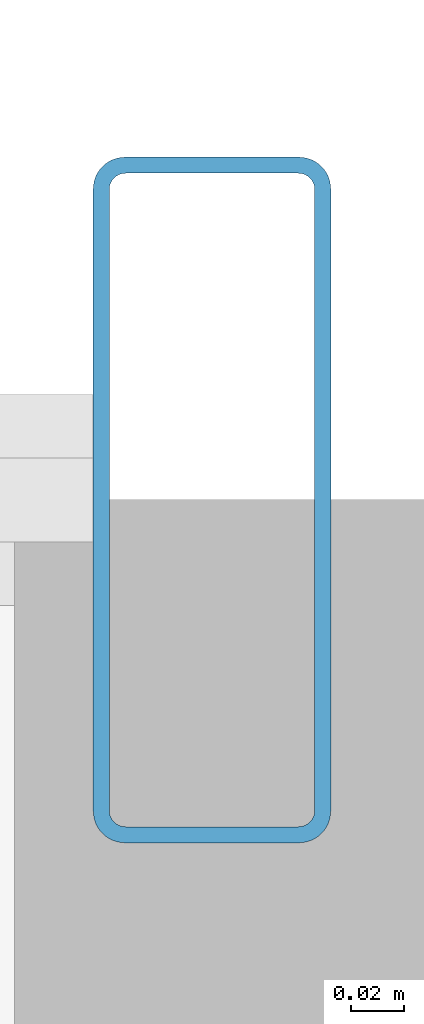
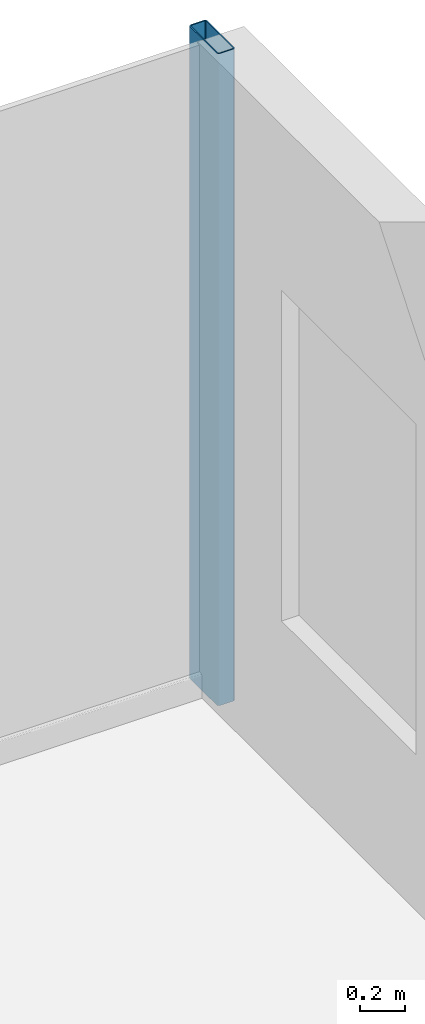
# One storey, part 14 of 26: 1 member, 1 element without a shape of its own.
"""IFC4 building model written with IfcOpenShell, lengths in metres."""

from ifc_helpers import new_model, si_unit, direction, frame, origin, origin_2d, place, context, subcontext, project, spatial, hollow_rectangle, extrude, source, transform, mapped, material, layer, layer_set, material_profile, profile_set, type_object, element, aggregate, save


model = new_model("IFC4")

# Units and contexts
model_context = context("Model", 3, precision=1e-05, world=origin(), true_north=direction((0.0, 1.0)))
body_context = subcontext(model_context, "Body", "Model", "MODEL_VIEW")
ifc_project = project(units=[si_unit("LENGTHUNIT", "METRE"), si_unit("AREAUNIT", "SQUARE_METRE"), si_unit("VOLUMEUNIT", "CUBIC_METRE"), si_unit("PLANEANGLEUNIT", "RADIAN"), si_unit("MASSUNIT", "GRAM", prefix="KILO")], contexts=[model_context])

# Site, building, storey
site_placement = place(None, origin())
site = spatial("IfcSite", under=ifc_project, at=site_placement, CompositionType="ELEMENT")
building_placement = place(site_placement, origin())
building = spatial("IfcBuilding", under=site, at=building_placement, Name="Nefas-Gora Pilgrimage Tower", CompositionType="ELEMENT")
storey_placement = place(building_placement, frame((0.0, 0.0, 128.800048828125)))
storey = spatial("IfcBuildingStorey", under=building, at=storey_placement, Name="L31", CompositionType="ELEMENT", Elevation=128.800048828125)

# Curtain wall, member
ifc_material_1 = material(Name="Dark ceramic-fritted solar-control aluminium-glass curtain wall", Category="aluminium")
ifc_layer = layer(ifc_material_1, 0.219970703125)
ifc_layer_set = layer_set([ifc_layer], Name="Dark ceramic-fritted solar-control aluminium-glass curtain wall")
curtain_wall_type = type_object("IfcCurtainWallType", Name="CW-SYS-2", PredefinedType="NOTDEFINED", material=ifc_layer_set)
curtain_wall_placement = place(storey_placement, origin())
curtain_wall = element("IfcCurtainWall", 1, at=curtain_wall_placement, inside=storey, type_object=curtain_wall_type, Name="L31 Unitised Curtain Wall CW2", PredefinedType="NOTDEFINED")
ifc_material_2 = material(Name="Anodised architectural aluminium", Category="aluminium")
ifc_material_profile = material_profile(ifc_material_2, hollow_rectangle(XDim=0.090087890625, YDim=0.260009765625, WallThickness=0.006103515625, InnerFilletRadius=0.006103515625, OuterFilletRadius=0.011962890625, at=origin_2d()), Name="ALU MULLION 90x260")
ifc_profile_set = profile_set([ifc_material_profile], Name="Anodised architectural aluminium")
member_type = type_object("IfcMemberType", Name="CWM-MUL-2", PredefinedType="MULLION", material=ifc_profile_set)
shared_shape = source(origin(), body_context, "Body", "SweptSolid", [
    extrude(hollow_rectangle(XDim=0.090087890625, YDim=0.260009765625, WallThickness=0.006103515625, InnerFilletRadius=0.006103515625, OuterFilletRadius=0.011962890625, at=origin_2d()), origin(), (0.0, 0.0, 1.0), 3.550048828125),
])
member_placement = place(storey_placement, frame((28.824951171875, 23.02001953125, 0.0), z_axis=(0.0, 0.0, 1.0), x_axis=(-1.0, 0.0, 0.0)))
member = element("IfcMember", 2, at=member_placement, type_object=member_type, Name="CW2 Mullion 1", PredefinedType="MULLION", context=body_context, shape_type="MappedRepresentation", body=[
    mapped(shared_shape, transform((0.0, 0.0, 0.0), x_axis=(1.0, 0.0, 0.0), y_axis=(0.0, 1.0, 0.0), z_axis=(0.0, 0.0, 1.0), scale=1.0)),
])
aggregate(curtain_wall, [member])

save(model, "model.ifc")
